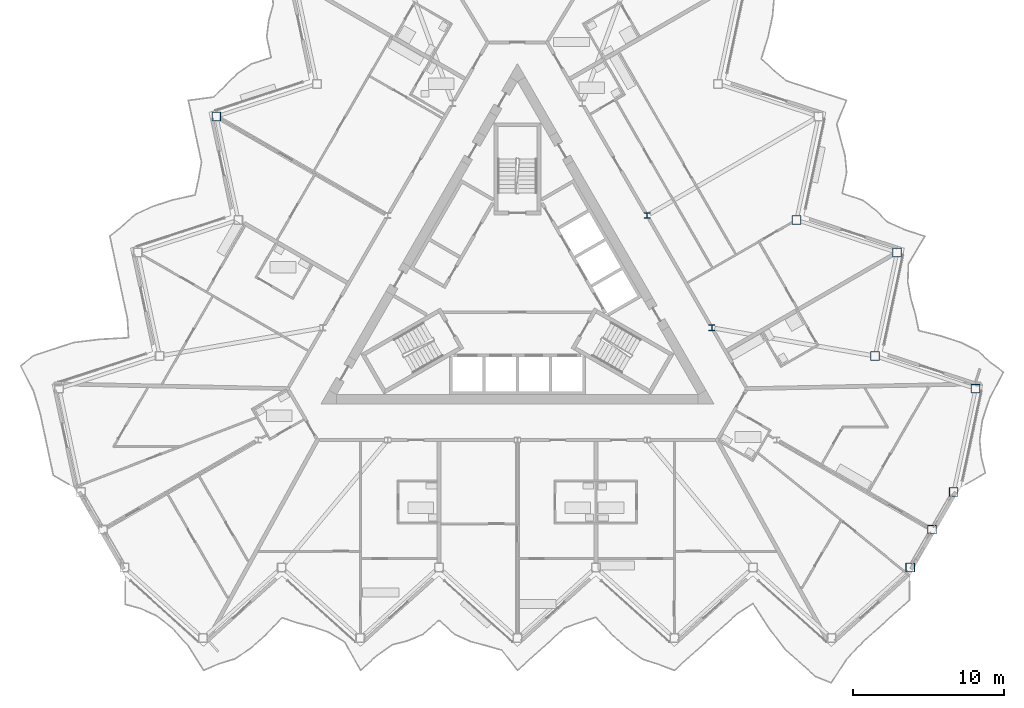
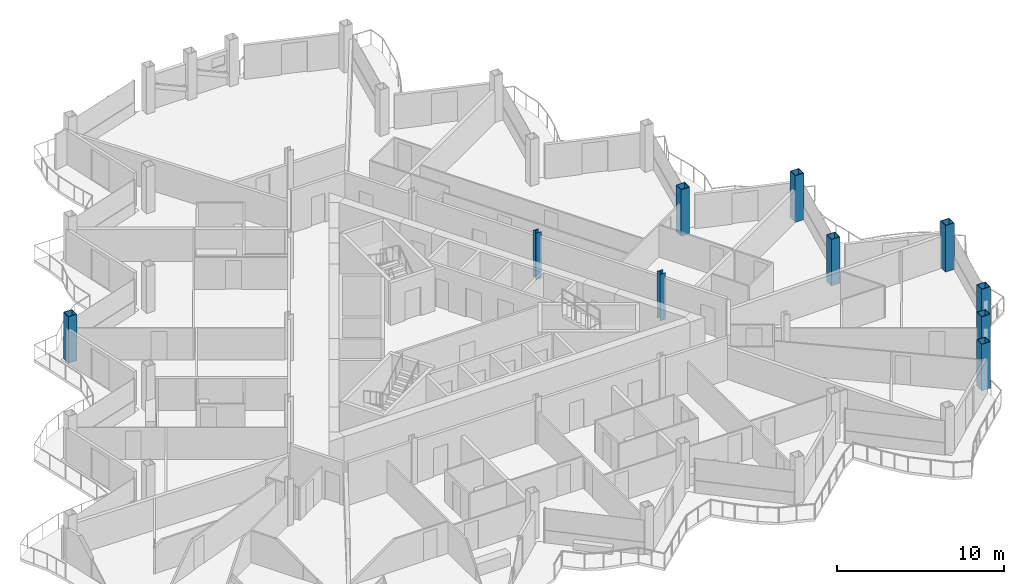
# One storey, part 2 of 27: 10 columns.
"""IFC4 building model written with IfcOpenShell, lengths in metres."""

from ifc_helpers import new_model, si_unit, direction, frame, origin, origin_2d, place, context, subcontext, project, spatial, hollow_rectangle, i_section, extrude, material, material_profile, profile_set, type_object, element, save


model = new_model("IFC4")

# Units and contexts
model_context = context("Model", 3, precision=1e-05, world=origin(), true_north=direction((0.0, 1.0)))
body_context = subcontext(model_context, "Body", "Model", "MODEL_VIEW")
ifc_project = project(units=[si_unit("LENGTHUNIT", "METRE"), si_unit("AREAUNIT", "SQUARE_METRE"), si_unit("VOLUMEUNIT", "CUBIC_METRE"), si_unit("PLANEANGLEUNIT", "RADIAN"), si_unit("MASSUNIT", "GRAM", prefix="KILO")], contexts=[model_context])

# Site, building, storey
site_placement = place(None, origin())
site = spatial("IfcSite", under=ifc_project, at=site_placement, CompositionType="ELEMENT")
building_placement = place(site_placement, origin())
building = spatial("IfcBuilding", under=site, at=building_placement, Name="Cormorant Prow Tower", CompositionType="ELEMENT")
storey_placement = place(building_placement, frame((0.0, 0.0, 318.800048828125)))
storey = spatial("IfcBuildingStorey", under=building, at=storey_placement, Name="L70", CompositionType="ELEMENT", Elevation=318.800048828125)

# Columns
ifc_material_1 = material(Name="Structural steel ASTM A572 Gr 50", Category="steel")
ifc_material_profile_1 = material_profile(ifc_material_1, hollow_rectangle(XDim=0.60009765625, YDim=0.60009765625, WallThickness=0.0400390625, at=origin_2d()), Name="Box 600x600x40")
ifc_profile_set_1 = profile_set([ifc_material_profile_1], Name="Structural steel ASTM A572 Gr 50")
column_type_1 = type_object("IfcColumnType", Name="Perimeter box column 600x600x40", PredefinedType="COLUMN", material=ifc_profile_set_1)
for number, where, z_axis, x_axis, name in (
    (1, (25.995361328125, -18.326904296875, 0.0), (0.0, 0.0, 1.0), (1.0, 0.0, 0.0), "Perimeter column C6 at ESE00 L70"),
    (2, (27.432373046875, -15.838134765625, 0.0), (0.0, 0.0, 1.0), (1.0, 0.0, 0.0), "Perimeter column C6 at ESE01 L70"),
    (3, (28.869140625, -13.349365234375, 0.0), (0.0, 0.0, 1.0), (1.0, 0.0, 0.0), "Perimeter column C6 at ENE00 L70"),
    (4, (30.32373046875, -6.506103515625, 0.0), (0.0, 0.0, 1.0), (1.0, 0.0, 0.0), "Perimeter column C6 at ENE01 L70"),
    (5, (23.670166015625, -4.34423828125, 0.0), (0.0, 0.0, 1.0), (1.0, 0.0, 0.0), "Perimeter column C6 at ENE02 L70"),
    (6, (25.124755859375, 2.4990234375, 0.0), (0.0, 0.0, 1.0), (1.0, 0.0, 0.0), "Perimeter column C6 at ENE03 L70"),
    (7, (18.470947265625, 4.660888671875, 0.0), (0.0, 0.0, 1.0), (1.0, 0.0, 0.0), "Perimeter column C6 at ENE04 L70"),
    (8, (-19.925537109375, 11.504150390625, 0.0), (0.0, 0.0, 1.0), (1.0, 0.0, 0.0), "Perimeter column C6 at WNW05 L70"),
):
    element("IfcColumn", number, at=place(storey_placement, frame(where, z_axis=z_axis, x_axis=x_axis)), inside=storey, type_object=column_type_1, Name=name, PredefinedType="COLUMN", context=body_context, shape_type="SweptSolid", body=[
        extrude(hollow_rectangle(XDim=0.60009765625, YDim=0.60009765625, WallThickness=0.0400390625, at=origin_2d()), origin(), (0.0, 0.0, 1.0), 3.39990234375),
    ])
ifc_material_2 = material(Name="Structural steel ASTM A992 Gr 50", Category="steel")
ifc_material_profile_2 = material_profile(ifc_material_2, i_section(OverallWidth=0.3955078125, OverallDepth=0.380615234375, WebThickness=0.018798828125, FlangeThickness=0.0302734375, at=origin_2d()), Name="W14x159")
ifc_profile_set_2 = profile_set([ifc_material_profile_2], Name="Structural steel ASTM A992 Gr 50")
column_type_2 = type_object("IfcColumnType", Name="Ring column W14x159", PredefinedType="COLUMN", material=ifc_profile_set_2)
for number, where, z_axis, x_axis, name in (
    (9, (12.86767578125, -2.476318359375, 0.0), (0.0, 0.0, 1.0), (1.0, 0.0, 0.0), "Ring column 10 L70"),
    (10, (8.578369140625, 4.952880859375, 0.0), (0.0, 0.0, 1.0), (1.0, 0.0, 0.0), "Ring column 11 L70"),
):
    element("IfcColumn", number, at=place(storey_placement, frame(where, z_axis=z_axis, x_axis=x_axis)), inside=storey, type_object=column_type_2, Name=name, PredefinedType="COLUMN", context=body_context, shape_type="SweptSolid", body=[
        extrude(i_section(OverallWidth=0.3955078125, OverallDepth=0.380615234375, WebThickness=0.018798828125, FlangeThickness=0.0302734375, at=origin_2d()), origin(), (0.0, 0.0, 1.0), 3.39990234375),
    ])

save(model, "model.ifc")
